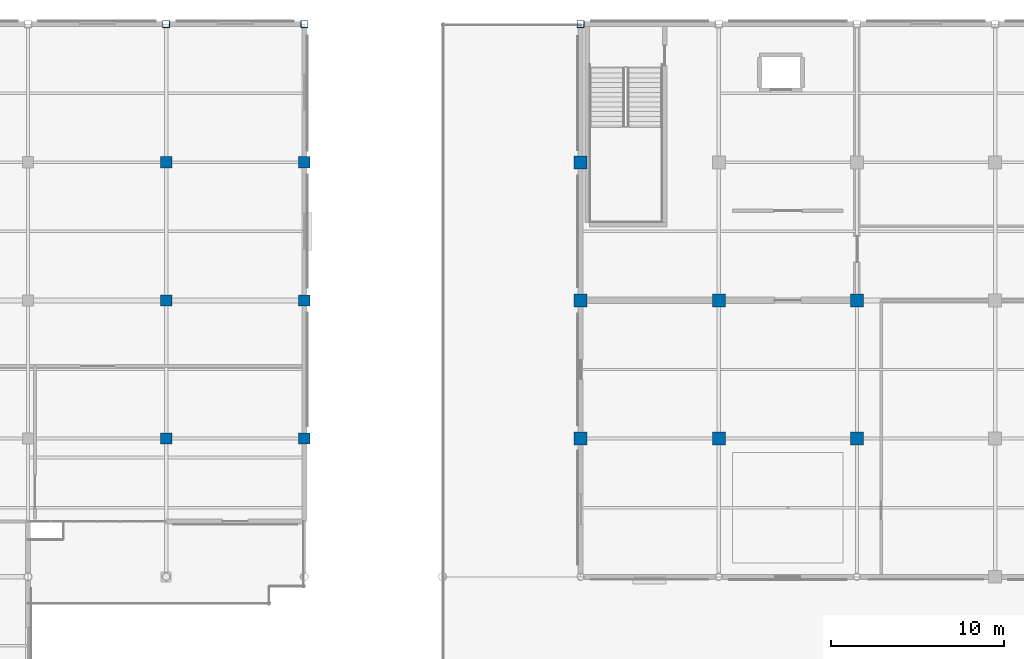
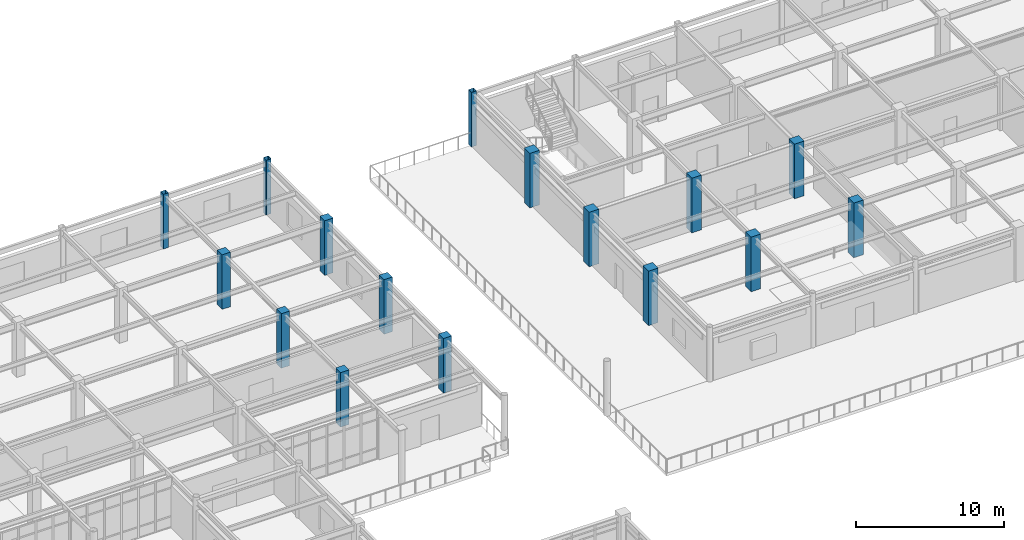
# One storey, part 13 of 75: 16 columns.
"""IFC4 building model written with IfcOpenShell, lengths in metres."""

from ifc_helpers import new_model, si_unit, direction, frame, origin, origin_2d, place, context, subcontext, project, spatial, rectangle, hollow_rectangle, extrude, material, material_profile, profile_set, type_object, element, save


model = new_model("IFC4")

# Units and contexts
model_context = context("Model", 3, precision=1e-05, world=origin(), true_north=direction((0.0, 1.0)))
body_context = subcontext(model_context, "Body", "Model", "MODEL_VIEW")
ifc_project = project(units=[si_unit("LENGTHUNIT", "METRE"), si_unit("AREAUNIT", "SQUARE_METRE"), si_unit("VOLUMEUNIT", "CUBIC_METRE"), si_unit("PLANEANGLEUNIT", "RADIAN"), si_unit("MASSUNIT", "GRAM", prefix="KILO")], contexts=[model_context])

# Site, building, storey
site_placement = place(None, origin())
site = spatial("IfcSite", under=ifc_project, at=site_placement, CompositionType="ELEMENT")
building_placement = place(site_placement, origin())
building = spatial("IfcBuilding", under=site, at=building_placement, Name="Solmirada Galleria", CompositionType="ELEMENT")
storey_placement = place(building_placement, frame((0.0, 0.0, 19.39990234375)))
storey = spatial("IfcBuildingStorey", under=building, at=storey_placement, Name="L04", CompositionType="ELEMENT", Elevation=19.39990234375)

# Columns
ifc_material_1 = material(Name="Steel S355 / ASTM A500 Grade C", Category="steel")
ifc_material_profile_1 = material_profile(ifc_material_1, hollow_rectangle(XDim=0.406005859375, YDim=0.406005859375, WallThickness=0.0146484375, InnerFilletRadius=0.0146484375, OuterFilletRadius=0.029296875, at=origin_2d()), Name="HSS16X16X5/8")
ifc_profile_set_1 = profile_set([ifc_material_profile_1], Name="Steel S355 / ASTM A500 Grade C")
column_type_1 = type_object("IfcColumnType", Name="COL-HSS16", PredefinedType="COLUMN", material=ifc_profile_set_1)
for number, where, z_axis, x_axis, name in (
    (1, (104.0, 120.0, 0.0), (0.0, 0.0, 1.0), (1.0, 0.0, 0.0), "Structural column L04-0801"),
    (2, (112.0, 120.0, 0.0), (0.0, 0.0, 1.0), (1.0, 0.0, 0.0), "Structural column L04-0918"),
    (3, (128.0, 120.0, 0.0), (0.0, 0.0, 1.0), (1.0, 0.0, 0.0), "Structural column L04-1100"),
):
    element("IfcColumn", number, at=place(storey_placement, frame(where, z_axis=z_axis, x_axis=x_axis)), inside=storey, type_object=column_type_1, Name=name, PredefinedType="COLUMN", context=body_context, shape_type="SweptSolid", body=[
        extrude(hollow_rectangle(XDim=0.406005859375, YDim=0.406005859375, WallThickness=0.0146484375, InnerFilletRadius=0.0146484375, OuterFilletRadius=0.029296875, at=origin_2d()), origin(), (0.0, 0.0, 1.0), 4.5),
    ])
ifc_material_2 = material(Name="Concrete C40/50", Category="concrete")
ifc_material_profile_2 = material_profile(ifc_material_2, rectangle(XDim=0.64990234375, YDim=0.64990234375, at=origin_2d()), Name="RC650X650")
ifc_profile_set_2 = profile_set([ifc_material_profile_2], Name="Concrete C40/50")
column_type_2 = type_object("IfcColumnType", Name="COL-RC650", PredefinedType="COLUMN", material=ifc_profile_set_2)
for number, where, z_axis, x_axis, name in (
    (4, (104.0, 96.0, 0.0), (0.0, 0.0, 1.0), (1.0, 0.0, 0.0), "Structural column L04-0780"),
    (5, (104.0, 104.0, 0.0), (0.0, 0.0, 1.0), (1.0, 0.0, 0.0), "Structural column L04-0787"),
    (6, (104.0, 112.0, 0.0), (0.0, 0.0, 1.0), (1.0, 0.0, 0.0), "Structural column L04-0794"),
    (7, (112.0, 96.0, 0.0), (0.0, 0.0, 1.0), (1.0, 0.0, 0.0), "Structural column L04-0897"),
    (8, (112.0, 104.0, 0.0), (0.0, 0.0, 1.0), (1.0, 0.0, 0.0), "Structural column L04-0904"),
    (9, (112.0, 112.0, 0.0), (0.0, 0.0, 1.0), (1.0, 0.0, 0.0), "Structural column L04-0911"),
):
    element("IfcColumn", number, at=place(storey_placement, frame(where, z_axis=z_axis, x_axis=x_axis)), inside=storey, type_object=column_type_2, Name=name, PredefinedType="COLUMN", context=body_context, shape_type="SweptSolid", body=[
        extrude(rectangle(XDim=0.64990234375, YDim=0.64990234375, at=origin_2d()), origin(), (0.0, 0.0, 1.0), 4.5),
    ])
ifc_material_profile_3 = material_profile(ifc_material_2, rectangle(XDim=0.75, YDim=0.75, at=origin_2d()), Name="RC750X750")
ifc_profile_set_3 = profile_set([ifc_material_profile_3], Name="Concrete C40/50")
column_type_3 = type_object("IfcColumnType", Name="COL-RC750", PredefinedType="COLUMN", material=ifc_profile_set_3)
for number, where, z_axis, x_axis, name in (
    (10, (128.0, 96.0, 0.0), (0.0, 0.0, 1.0), (1.0, 0.0, 0.0), "Structural column L04-1073"),
    (11, (128.0, 104.0, 0.0), (0.0, 0.0, 1.0), (1.0, 0.0, 0.0), "Structural column L04-1082"),
    (12, (128.0, 112.0, 0.0), (0.0, 0.0, 1.0), (1.0, 0.0, 0.0), "Structural column L04-1091"),
    (13, (136.0, 96.0, 0.0), (0.0, 0.0, 1.0), (1.0, 0.0, 0.0), "Structural column L04-1174"),
    (14, (136.0, 104.0, 0.0), (0.0, 0.0, 1.0), (1.0, 0.0, 0.0), "Structural column L04-1183"),
    (15, (144.0, 96.0, 0.0), (0.0, 0.0, 1.0), (1.0, 0.0, 0.0), "Structural column L04-1260"),
    (16, (144.0, 104.0, 0.0), (0.0, 0.0, 1.0), (1.0, 0.0, 0.0), "Structural column L04-1269"),
):
    element("IfcColumn", number, at=place(storey_placement, frame(where, z_axis=z_axis, x_axis=x_axis)), inside=storey, type_object=column_type_3, Name=name, PredefinedType="COLUMN", context=body_context, shape_type="SweptSolid", body=[
        extrude(rectangle(XDim=0.75, YDim=0.75, at=origin_2d()), origin(), (0.0, 0.0, 1.0), 4.5),
    ])

save(model, "model.ifc")
